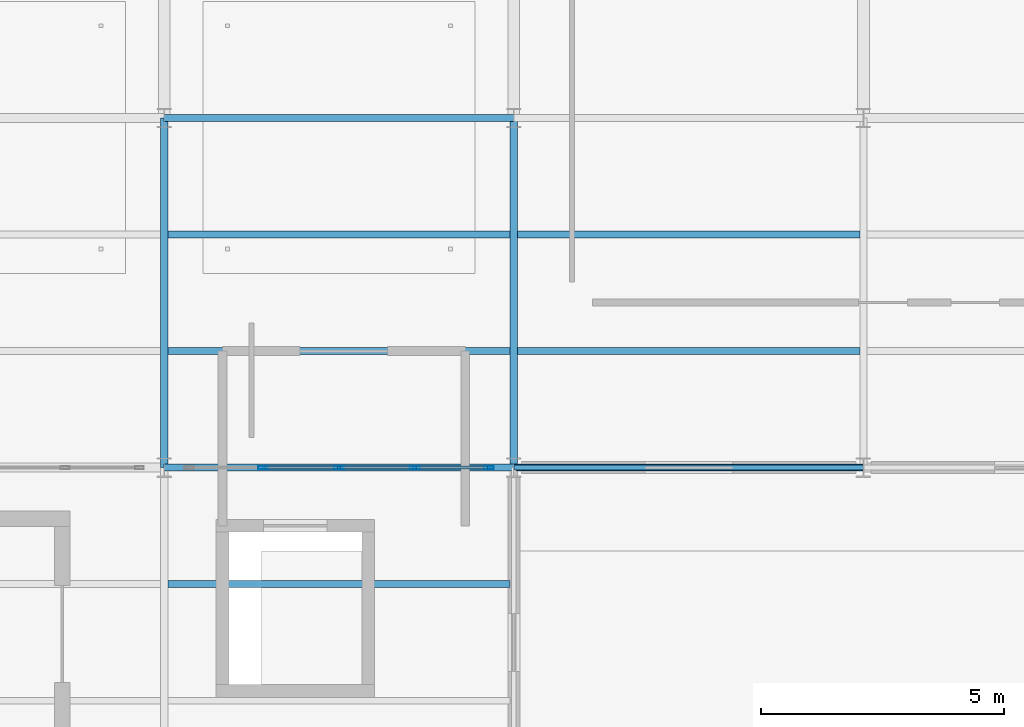
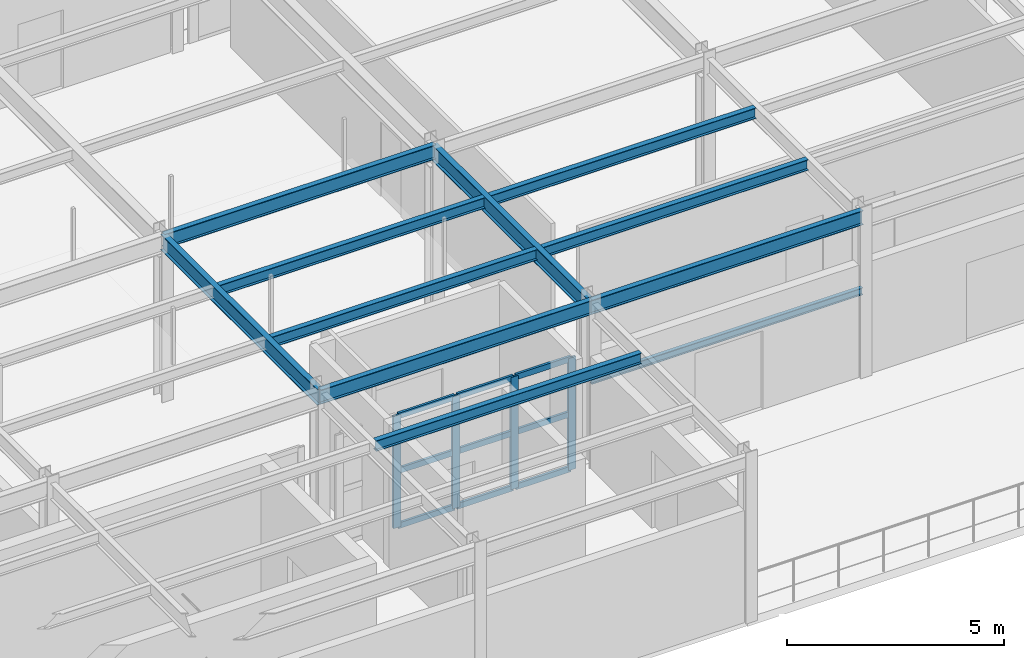
# One storey, part 14 of 41: 13 members, 11 beams, 1 element without a shape of its own.
"""IFC4 building model written with IfcOpenShell, lengths in metres."""

from ifc_helpers import new_model, si_unit, direction, frame, origin, origin_2d, place, context, subcontext, project, spatial, hollow_rectangle, i_section, extrude, material, layer, layer_set, material_profile, profile_set, type_object, element, aggregate, save


model = new_model("IFC4")

# Units and contexts
model_context = context("Model", 3, precision=1e-05, world=origin(), true_north=direction((0.0, 1.0)))
body_context = subcontext(model_context, "Body", "Model", "MODEL_VIEW")
ifc_project = project(units=[si_unit("LENGTHUNIT", "METRE"), si_unit("AREAUNIT", "SQUARE_METRE"), si_unit("VOLUMEUNIT", "CUBIC_METRE"), si_unit("PLANEANGLEUNIT", "RADIAN"), si_unit("MASSUNIT", "GRAM", prefix="KILO")], contexts=[model_context])

# Site, building, storey
site_placement = place(None, origin())
site = spatial("IfcSite", under=ifc_project, at=site_placement, CompositionType="ELEMENT")
building_placement = place(site_placement, origin())
building = spatial("IfcBuilding", under=site, at=building_placement, Name="Solvadek Multi-Sports Hall", CompositionType="ELEMENT")
storey_placement = place(building_placement, frame((0.0, 0.0, 14.39990234375)))
storey = spatial("IfcBuildingStorey", under=building, at=storey_placement, Name="L03", CompositionType="ELEMENT", Elevation=14.39990234375)

# Curtain wall, members
ifc_material_1 = material(Name="Anodised aluminium", Category="aluminium")
ifc_layer = layer(ifc_material_1, 0.159912109375, Name="Anodised aluminium")
ifc_layer_set = layer_set([ifc_layer], Name="Anodised aluminium")
curtain_wall_type = type_object("IfcCurtainWallType", Name="ENV-CW-624X315", PredefinedType="USERDEFINED", material=ifc_layer_set)
curtain_wall_placement = place(storey_placement, origin())
curtain_wall = element("IfcCurtainWall", 1, at=curtain_wall_placement, inside=storey, type_object=curtain_wall_type, Name="L03 Perimeter Bay Curtain Wall #205", ObjectType="CURTAIN WALL", PredefinedType="USERDEFINED")
ifc_material_profile_1 = material_profile(ifc_material_1, hollow_rectangle(XDim=0.06494140625, YDim=0.199951171875, WallThickness=0.0048828125, at=origin_2d()), Name="ALU-M 200x65x5")
ifc_profile_set_1 = profile_set([ifc_material_profile_1], Name="Anodised aluminium")
member_type_1 = type_object("IfcMemberType", Name="ENV-CWM-03", PredefinedType="MULLION", material=ifc_profile_set_1)
member_1_placement = place(storey_placement, frame((23.639892578125, 85.199951171875, 0.0), z_axis=(0.0, 0.0, 1.0), x_axis=(0.0, 1.0, 0.0)))
member_1 = element("IfcMember", 2, at=member_1_placement, type_object=member_type_1, Name="CW-44 mullion 2", PredefinedType="MULLION", context=body_context, shape_type="SweptSolid", body=[
    extrude(hollow_rectangle(XDim=0.06494140625, YDim=0.199951171875, WallThickness=0.0048828125, at=origin_2d()), origin(), (0.0, 0.0, 1.0), 3.150146484375),
])
member_2_placement = place(storey_placement, frame((25.199951171875, 85.199951171875, 0.0), z_axis=(0.0, 0.0, 1.0), x_axis=(0.0, 1.0, 0.0)))
member_2 = element("IfcMember", 3, at=member_2_placement, type_object=member_type_1, Name="CW-44 mullion 3", PredefinedType="MULLION", context=body_context, shape_type="SweptSolid", body=[
    extrude(hollow_rectangle(XDim=0.06494140625, YDim=0.199951171875, WallThickness=0.0048828125, at=origin_2d()), origin(), (0.0, 0.0, 1.0), 3.150146484375),
])
member_3_placement = place(storey_placement, frame((26.760009765625, 85.199951171875, 0.0), z_axis=(0.0, 0.0, 1.0), x_axis=(0.0, 1.0, 0.0)))
member_3 = element("IfcMember", 4, at=member_3_placement, type_object=member_type_1, Name="CW-44 mullion 4", PredefinedType="MULLION", context=body_context, shape_type="SweptSolid", body=[
    extrude(hollow_rectangle(XDim=0.06494140625, YDim=0.199951171875, WallThickness=0.0048828125, at=origin_2d()), origin(), (0.0, 0.0, 1.0), 3.150146484375),
])
member_4_placement = place(storey_placement, frame((28.28759765625, 85.199951171875, 0.0), z_axis=(0.0, 0.0, 1.0), x_axis=(0.0, 1.0, 0.0)))
member_4 = element("IfcMember", 5, at=member_4_placement, type_object=member_type_1, Name="CW-44 mullion 5", PredefinedType="MULLION", context=body_context, shape_type="SweptSolid", body=[
    extrude(hollow_rectangle(XDim=0.06494140625, YDim=0.199951171875, WallThickness=0.0048828125, at=origin_2d()), origin(), (0.0, 0.0, 1.0), 3.150146484375),
])
ifc_material_profile_2 = material_profile(ifc_material_1, hollow_rectangle(XDim=0.06494140625, YDim=0.159912109375, WallThickness=0.00390625, at=origin_2d()), Name="ALU-T 160x65x4")
ifc_profile_set_2 = profile_set([ifc_material_profile_2], Name="Anodised aluminium")
member_type_2 = type_object("IfcMemberType", Name="ENV-CWT-03", PredefinedType="USERDEFINED", material=ifc_profile_set_2)
member_5_placement = place(storey_placement, frame((23.672607421875, 85.199951171875, 0.03271484375), z_axis=(1.0, 0.0, 0.0), x_axis=(0.0, 1.0, 0.0)))
member_5 = element("IfcMember", 6, at=member_5_placement, type_object=member_type_2, Name="CW-44 transom 2.1", ObjectType="TRANSOM", PredefinedType="USERDEFINED", context=body_context, shape_type="SweptSolid", body=[
    extrude(hollow_rectangle(XDim=0.06494140625, YDim=0.159912109375, WallThickness=0.00390625, at=origin_2d()), origin(), (0.0, 0.0, 1.0), 1.494873046875),
])
member_6_placement = place(storey_placement, frame((23.672607421875, 85.199951171875, 1.5751953125), z_axis=(1.0, 0.0, 0.0), x_axis=(0.0, 1.0, 0.0)))
member_6 = element("IfcMember", 7, at=member_6_placement, type_object=member_type_2, Name="CW-44 transom 2.2", ObjectType="TRANSOM", PredefinedType="USERDEFINED", context=body_context, shape_type="SweptSolid", body=[
    extrude(hollow_rectangle(XDim=0.06494140625, YDim=0.159912109375, WallThickness=0.00390625, at=origin_2d()), origin(), (0.0, 0.0, 1.0), 1.494873046875),
])
member_7_placement = place(storey_placement, frame((23.672607421875, 85.199951171875, 3.11767578125), z_axis=(1.0, 0.0, 0.0), x_axis=(0.0, 1.0, 0.0)))
member_7 = element("IfcMember", 8, at=member_7_placement, type_object=member_type_2, Name="CW-44 transom 2.3", ObjectType="TRANSOM", PredefinedType="USERDEFINED", context=body_context, shape_type="SweptSolid", body=[
    extrude(hollow_rectangle(XDim=0.06494140625, YDim=0.159912109375, WallThickness=0.00390625, at=origin_2d()), origin(), (0.0, 0.0, 1.0), 1.494873046875),
])
member_8_placement = place(storey_placement, frame((25.232421875, 85.199951171875, 0.03271484375), z_axis=(1.0, 0.0, 0.0), x_axis=(0.0, 1.0, 0.0)))
member_8 = element("IfcMember", 9, at=member_8_placement, type_object=member_type_2, Name="CW-44 transom 3.1", ObjectType="TRANSOM", PredefinedType="USERDEFINED", context=body_context, shape_type="SweptSolid", body=[
    extrude(hollow_rectangle(XDim=0.06494140625, YDim=0.159912109375, WallThickness=0.00390625, at=origin_2d()), origin(), (0.0, 0.0, 1.0), 1.4951171875),
])
member_9_placement = place(storey_placement, frame((25.232421875, 85.199951171875, 1.5751953125), z_axis=(1.0, 0.0, 0.0), x_axis=(0.0, 1.0, 0.0)))
member_9 = element("IfcMember", 10, at=member_9_placement, type_object=member_type_2, Name="CW-44 transom 3.2", ObjectType="TRANSOM", PredefinedType="USERDEFINED", context=body_context, shape_type="SweptSolid", body=[
    extrude(hollow_rectangle(XDim=0.06494140625, YDim=0.159912109375, WallThickness=0.00390625, at=origin_2d()), origin(), (0.0, 0.0, 1.0), 1.4951171875),
])
member_10_placement = place(storey_placement, frame((25.232421875, 85.199951171875, 3.11767578125), z_axis=(1.0, 0.0, 0.0), x_axis=(0.0, 1.0, 0.0)))
member_10 = element("IfcMember", 11, at=member_10_placement, type_object=member_type_2, Name="CW-44 transom 3.3", ObjectType="TRANSOM", PredefinedType="USERDEFINED", context=body_context, shape_type="SweptSolid", body=[
    extrude(hollow_rectangle(XDim=0.06494140625, YDim=0.159912109375, WallThickness=0.00390625, at=origin_2d()), origin(), (0.0, 0.0, 1.0), 1.4951171875),
])
member_11_placement = place(storey_placement, frame((26.79248046875, 85.199951171875, 0.03271484375), z_axis=(1.0, 0.0, 0.0), x_axis=(0.0, 1.0, 0.0)))
member_11 = element("IfcMember", 12, at=member_11_placement, type_object=member_type_2, Name="CW-44 transom 4.1", ObjectType="TRANSOM", PredefinedType="USERDEFINED", context=body_context, shape_type="SweptSolid", body=[
    extrude(hollow_rectangle(XDim=0.06494140625, YDim=0.159912109375, WallThickness=0.00390625, at=origin_2d()), origin(), (0.0, 0.0, 1.0), 1.46240234375),
])
member_12_placement = place(storey_placement, frame((26.79248046875, 85.199951171875, 1.5751953125), z_axis=(1.0, 0.0, 0.0), x_axis=(0.0, 1.0, 0.0)))
member_12 = element("IfcMember", 13, at=member_12_placement, type_object=member_type_2, Name="CW-44 transom 4.2", ObjectType="TRANSOM", PredefinedType="USERDEFINED", context=body_context, shape_type="SweptSolid", body=[
    extrude(hollow_rectangle(XDim=0.06494140625, YDim=0.159912109375, WallThickness=0.00390625, at=origin_2d()), origin(), (0.0, 0.0, 1.0), 1.46240234375),
])
member_13_placement = place(storey_placement, frame((26.79248046875, 85.199951171875, 3.11767578125), z_axis=(1.0, 0.0, 0.0), x_axis=(0.0, 1.0, 0.0)))
member_13 = element("IfcMember", 14, at=member_13_placement, type_object=member_type_2, Name="CW-44 transom 4.3", ObjectType="TRANSOM", PredefinedType="USERDEFINED", context=body_context, shape_type="SweptSolid", body=[
    extrude(hollow_rectangle(XDim=0.06494140625, YDim=0.159912109375, WallThickness=0.00390625, at=origin_2d()), origin(), (0.0, 0.0, 1.0), 1.46240234375),
])
aggregate(curtain_wall, [member_1, member_2, member_3, member_4, member_5, member_6, member_7, member_8, member_9, member_10, member_11, member_12, member_13])

# Beams
ifc_material_2 = material(Name="Steel E350 (350 MPa)", Category="steel")
ifc_material_profile_3 = material_profile(ifc_material_2, i_section(OverallWidth=0.139892578125, OverallDepth=0.39990234375, WebThickness=0.0087890625, FlangeThickness=0.01611328125, at=origin_2d()), Name="ISMB 400")
ifc_profile_set_3 = profile_set([ifc_material_profile_3], Name="Steel E350 (350 MPa)")
beam_type_1 = type_object("IfcBeamType", Name="STR-BM-ISMB400", PredefinedType="BEAM", material=ifc_profile_set_3)
for number, where, z_axis, x_axis, name in (
    (15, (21.60009765625, 85.199951171875, 4.400146484375), (1.0, 0.0, 0.0), (0.0, 1.0, 0.0), "L03 Girder B-10 #1631"),
    (16, (28.800048828125, 85.199951171875, 4.400146484375), (1.0, 0.0, 0.0), (0.0, 1.0, 0.0), "L03 Girder B-10 #1632"),
    (17, (21.60009765625, 92.39990234375, 4.400146484375), (1.0, 0.0, 0.0), (0.0, 1.0, 0.0), "L03 Girder B-10 #1637"),
):
    element("IfcBeam", number, at=place(storey_placement, frame(where, z_axis=z_axis, x_axis=x_axis)), inside=storey, type_object=beam_type_1, Name=name, PredefinedType="BEAM", context=body_context, shape_type="SweptSolid", body=[
        extrude(i_section(OverallWidth=0.139892578125, OverallDepth=0.39990234375, WebThickness=0.0087890625, FlangeThickness=0.01611328125, at=origin_2d()), origin(), (0.0, 0.0, 1.0), 7.199951171875),
    ])
ifc_material_profile_4 = material_profile(ifc_material_2, i_section(OverallWidth=0.14990234375, OverallDepth=0.449951171875, WebThickness=0.009521484375, FlangeThickness=0.017333984375, at=origin_2d()), Name="ISMB 450")
ifc_profile_set_4 = profile_set([ifc_material_profile_4], Name="Steel E350 (350 MPa)")
beam_type_2 = type_object("IfcBeamType", Name="STR-BM-ISMB450", PredefinedType="BEAM", material=ifc_profile_set_4)
for number, where, z_axis, x_axis, name in (
    (18, (21.60009765625, 85.199951171875, 4.375), (0.0, 1.0, 0.0), (-1.0, 0.0, 0.0), "L03 Girder B-09 #1661"),
    (19, (28.800048828125, 85.199951171875, 4.375), (0.0, 1.0, 0.0), (-1.0, 0.0, 0.0), "L03 Girder B-09 #1664"),
):
    element("IfcBeam", number, at=place(storey_placement, frame(where, z_axis=z_axis, x_axis=x_axis)), inside=storey, type_object=beam_type_2, Name=name, PredefinedType="BEAM", context=body_context, shape_type="SweptSolid", body=[
        extrude(i_section(OverallWidth=0.14990234375, OverallDepth=0.449951171875, WebThickness=0.009521484375, FlangeThickness=0.017333984375, at=origin_2d()), origin(), (0.0, 0.0, 1.0), 7.199951171875),
    ])
ifc_material_profile_5 = material_profile(ifc_material_2, i_section(OverallWidth=0.139892578125, OverallDepth=0.300048828125, WebThickness=0.0078125, FlangeThickness=0.01318359375, at=origin_2d()), Name="ISMB 300")
ifc_profile_set_5 = profile_set([ifc_material_profile_5], Name="Steel E350 (350 MPa)")
beam_type_3 = type_object("IfcBeamType", Name="STR-JST-ISMB300", PredefinedType="JOIST", material=ifc_profile_set_5)
for number, where, z_axis, x_axis, name in (
    (20, (21.675048828125, 82.800048828125, 4.4501953125), (1.0, 0.0, 0.0), (0.0, 1.0, 0.0), "L03 Composite Joist J-03 #921"),
    (21, (21.675048828125, 87.60009765625, 4.4501953125), (1.0, 0.0, 0.0), (0.0, 1.0, 0.0), "L03 Composite Joist J-03 #924"),
    (22, (21.675048828125, 90.0, 4.4501953125), (1.0, 0.0, 0.0), (0.0, 1.0, 0.0), "L03 Composite Joist J-03 #925"),
    (23, (28.875, 87.60009765625, 4.4501953125), (1.0, 0.0, 0.0), (0.0, 1.0, 0.0), "L03 Composite Joist J-03 #926"),
    (24, (28.875, 90.0, 4.4501953125), (1.0, 0.0, 0.0), (0.0, 1.0, 0.0), "L03 Composite Joist J-03 #927"),
):
    element("IfcBeam", number, at=place(storey_placement, frame(where, z_axis=z_axis, x_axis=x_axis)), inside=storey, type_object=beam_type_3, Name=name, PredefinedType="JOIST", context=body_context, shape_type="SweptSolid", body=[
        extrude(i_section(OverallWidth=0.139892578125, OverallDepth=0.300048828125, WebThickness=0.0078125, FlangeThickness=0.01318359375, at=origin_2d()), origin(), (0.0, 0.0, 1.0), 7.050048828125),
    ])
ifc_material_3 = material(Name="Steel E250 (250 MPa)", Category="steel")
ifc_material_profile_6 = material_profile(ifc_material_3, i_section(OverallWidth=0.10009765625, OverallDepth=0.199951171875, WebThickness=0.005615234375, FlangeThickness=0.0107421875, at=origin_2d()), Name="ISMB 200")
ifc_profile_set_6 = profile_set([ifc_material_profile_6], Name="Steel E250 (250 MPa)")
beam_type_4 = type_object("IfcBeamType", Name="STR-LIN-ISMB200", PredefinedType="LINTEL", material=ifc_profile_set_6)
beam_placement = place(storey_placement, frame((28.800048828125, 85.199951171875, 2.320068359375), z_axis=(1.0, 0.0, 0.0), x_axis=(0.0, 1.0, 0.0)))
element("IfcBeam", 25, at=beam_placement, inside=storey, type_object=beam_type_4, Name="L03 Opening Lintel #27", PredefinedType="LINTEL", context=body_context, shape_type="SweptSolid", body=[
    extrude(i_section(OverallWidth=0.10009765625, OverallDepth=0.199951171875, WebThickness=0.005615234375, FlangeThickness=0.0107421875, at=origin_2d()), origin(), (0.0, 0.0, 1.0), 7.199951171875),
])

save(model, "model.ifc")
